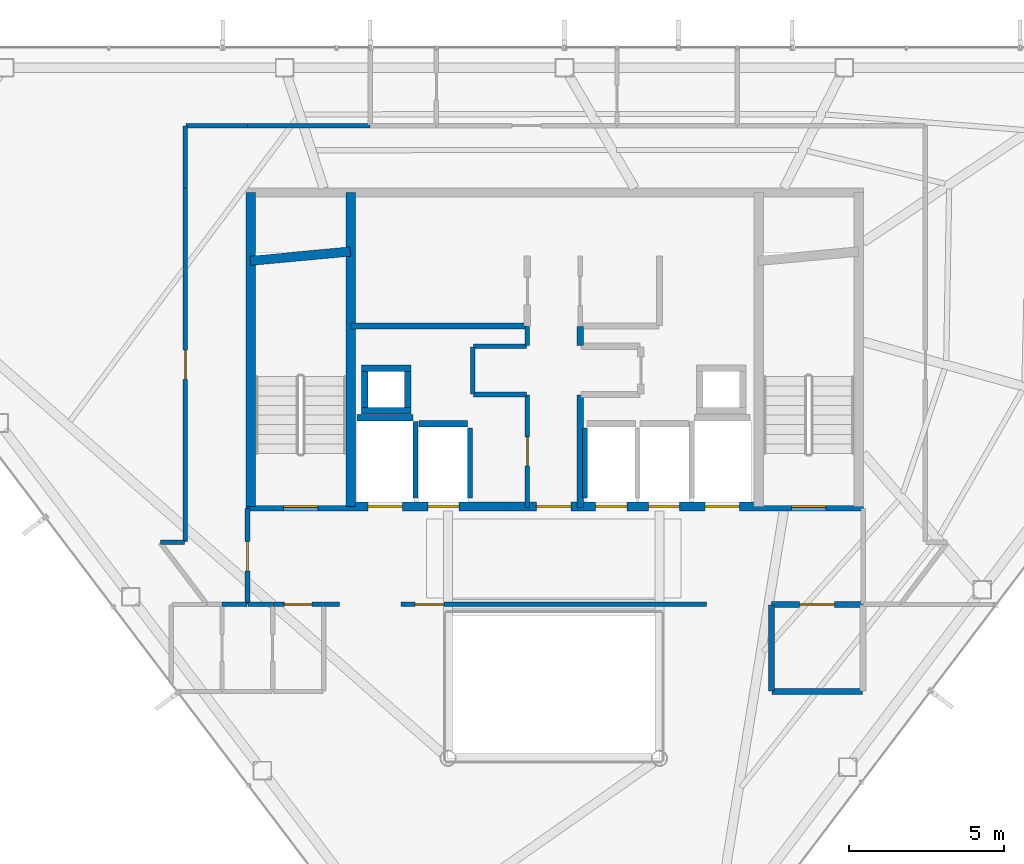
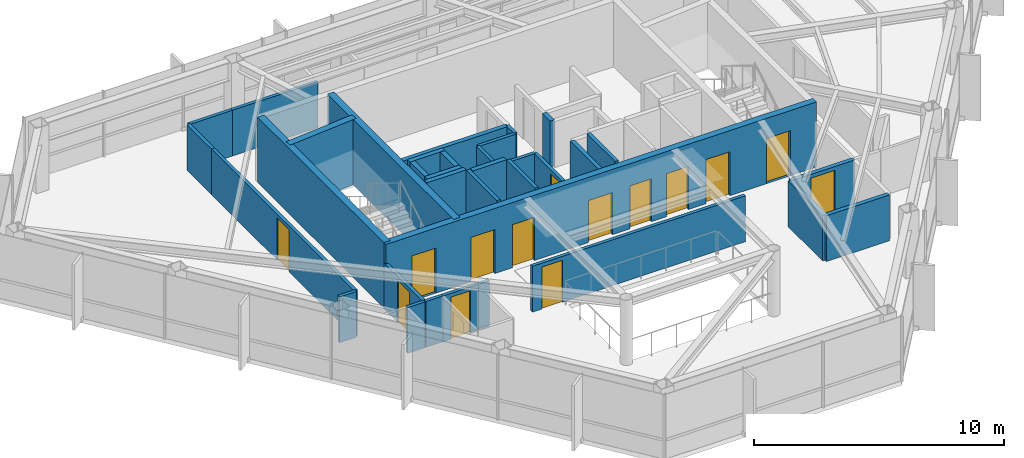
# One storey, part 22 of 25: 35 walls, 14 doors, 14 openings.
"""IFC4 building model written with IfcOpenShell, lengths in metres."""

from ifc_helpers import new_model, si_unit, direction, frame, frame_2d, origin, place, context, subcontext, project, spatial, rectangle, extrude, material, layer, layer_set, type_object, element, fill, save


model = new_model("IFC4")

# Units and contexts
model_context = context("Model", 3, precision=1e-05, world=origin(), true_north=direction((0.0, 1.0)))
body_context = subcontext(model_context, "Body", "Model", "MODEL_VIEW")
ifc_project = project(units=[si_unit("LENGTHUNIT", "METRE"), si_unit("AREAUNIT", "SQUARE_METRE"), si_unit("VOLUMEUNIT", "CUBIC_METRE"), si_unit("PLANEANGLEUNIT", "RADIAN"), si_unit("MASSUNIT", "GRAM", prefix="KILO")], contexts=[model_context])

# Site, building, storey
site_placement = place(None, origin())
site = spatial("IfcSite", under=ifc_project, at=site_placement, CompositionType="ELEMENT")
building_placement = place(site_placement, origin())
building = spatial("IfcBuilding", under=site, at=building_placement, Name="Zarrinselat Tower", CompositionType="ELEMENT")
storey_placement = place(building_placement, frame((0.0, 0.0, 239.360107421875)))
storey = spatial("IfcBuildingStorey", under=building, at=storey_placement, Name="L60", CompositionType="ELEMENT", Elevation=239.360107421875)

# Wall, opening, door
ifc_material_1 = material(Name="Concrete C40/50", Category="concrete")
ifc_layer_1 = layer(ifc_material_1, 0.18994140625)
ifc_layer_set_1 = layer_set([ifc_layer_1], Name="Concrete C40/50")
wall_type_1 = type_object("IfcWallType", Name="WAL-PART-EI120", PredefinedType="PARTITIONING", material=ifc_layer_set_1)
wall_1_placement = place(storey_placement, frame((45.405029296875, 30.14990234375, 0.0), z_axis=(0.0, 0.0, 1.0), x_axis=(1.0, 0.0, 0.0)))
wall_1 = element("IfcWall", 1, at=wall_1_placement, inside=storey, type_object=wall_type_1, Name="L60 Partition Wall 16", PredefinedType="PARTITIONING", context=body_context, shape_type="SweptSolid", body=[
    extrude(rectangle(XDim=2.925048828125, YDim=0.18994140625, at=frame_2d((1.46240234375, 0.0))), origin(), (0.0, 0.0, 1.0), 2.23486328125),
])
opening_1_placement = place(wall_1_placement, frame((0.902587890625, 0.0, 0.0)))
opening_1 = element("IfcOpeningElement", 2, at=opening_1_placement, cuts=wall_1, Name="Opening ID-02", PredefinedType="OPENING", context=body_context, shape_type="SweptSolid", body=[
    extrude(rectangle(XDim=1.1201171875, YDim=2.050048828125, at=frame_2d((0.56005859375, 1.02490234375))), frame((0.0, 0.10498046875, 0.0), z_axis=(0.0, -1.0, 0.0), x_axis=(1.0, 0.0, 0.0)), (0.0, 0.0, 1.0), 0.2099609375),
])
ifc_material_2 = material(Name="Steel S355J2", Category="steel")
door_type_1 = type_object("IfcDoorType", Name="DR-INT-FD60-W", OperationType="NOTDEFINED", PredefinedType="DOOR", material=ifc_material_2)
door_1_placement = place(opening_1_placement, origin())
door_1 = element("IfcDoor", 3, at=door_1_placement, inside=storey, type_object=door_type_1, Name="L60 Interior Door P16", OperationType="SINGLE_SWING_RIGHT", OverallHeight=2.050048828125, OverallWidth=1.1201171875, PredefinedType="DOOR", context=body_context, shape_type="SweptSolid", body=[
    extrude(rectangle(XDim=1.1201171875, YDim=2.050048828125, at=frame_2d((0.56005859375, 1.02490234375))), frame((0.0, 0.02490234375, 0.0), z_axis=(0.0, -1.0, 0.0), x_axis=(1.0, 0.0, 0.0)), (0.0, 0.0, 1.0), 0.050048828125),
])
fill(opening_1, door_1)

# Walls
wall_2_placement = place(storey_placement, frame((45.419921875, 27.35009765625, 0.0), z_axis=(0.0, 0.0, 1.0), x_axis=(1.0, 0.0, 0.0)))
element("IfcWall", 4, at=wall_2_placement, inside=storey, type_object=wall_type_1, Name="L60 Partition Wall 23", PredefinedType="PARTITIONING", context=body_context, shape_type="SweptSolid", body=[
    extrude(rectangle(XDim=2.91015625, YDim=0.18994140625, at=frame_2d((1.455078125, 0.0))), origin(), (0.0, 0.0, 1.0), 2.23486328125),
])
wall_3_placement = place(storey_placement, frame((45.39990234375, 27.3701171875, 0.0), z_axis=(0.0, 0.0, 1.0), x_axis=(0.0, 1.0, 0.0)))
element("IfcWall", 5, at=wall_3_placement, inside=storey, type_object=wall_type_1, Name="L60 Partition Wall 24", PredefinedType="PARTITIONING", context=body_context, shape_type="SweptSolid", body=[
    extrude(rectangle(XDim=2.759765625, YDim=0.18994140625, at=frame_2d((1.3798828125, 0.0))), origin(), (0.0, 0.0, 1.0), 2.23486328125),
])

# Wall, opening, door
ifc_material_3 = material(Name="Fire-Rated Gypsum Board Partition", Category="gypsum")
ifc_layer_2 = layer(ifc_material_3, 0.14990234375)
ifc_layer_set_2 = layer_set([ifc_layer_2], Name="Fire-Rated Gypsum Board Partition")
wall_type_2 = type_object("IfcWallType", Name="WAL-PART-EI60", PredefinedType="PARTITIONING", material=ifc_layer_set_2)
wall_4_placement = place(storey_placement, frame((37.550048828125, 33.264892578125, 0.0), z_axis=(0.0, 0.0, 1.0), x_axis=(0.0, 1.0, 0.0)))
wall_4 = element("IfcWall", 6, at=wall_4_placement, inside=storey, type_object=wall_type_2, Name="L60 Partition Wall 1", PredefinedType="PARTITIONING", context=body_context, shape_type="SweptSolid", body=[
    extrude(rectangle(XDim=3.614990234375, YDim=0.14990234375, at=frame_2d((1.8076171875, 0.0))), origin(), (0.0, 0.0, 1.0), 2.23486328125),
])
opening_2_placement = place(wall_4_placement, frame((1.33740234375, 0.0, 0.0)))
opening_2 = element("IfcOpeningElement", 7, at=opening_2_placement, cuts=wall_4, Name="Opening ID-04", PredefinedType="OPENING", context=body_context, shape_type="SweptSolid", body=[
    extrude(rectangle(XDim=0.93994140625, YDim=2.050048828125, at=frame_2d((0.469970703125, 1.02490234375))), frame((0.0, 0.0849609375, 0.0), z_axis=(0.0, -1.0, 0.0), x_axis=(1.0, 0.0, 0.0)), (0.0, 0.0, 1.0), 0.169921875),
])
ifc_material_4 = material(Name="Fire-Rated Gypsum Board Partition")
door_type_2 = type_object("IfcDoorType", Name="DR-INT-FD30-ENT", OperationType="NOTDEFINED", PredefinedType="DOOR", material=ifc_material_4)
door_2_placement = place(opening_2_placement, origin())
door_2 = element("IfcDoor", 8, at=door_2_placement, inside=storey, type_object=door_type_2, Name="L60 Interior Door P1", OperationType="SINGLE_SWING_RIGHT", OverallHeight=2.050048828125, OverallWidth=0.93994140625, PredefinedType="DOOR", context=body_context, shape_type="SweptSolid", body=[
    extrude(rectangle(XDim=0.93994140625, YDim=2.050048828125, at=frame_2d((0.469970703125, 1.02490234375))), frame((0.0, 0.02490234375, 0.0), z_axis=(0.0, -1.0, 0.0), x_axis=(1.0, 0.0, 0.0)), (0.0, 0.0, 1.0), 0.050048828125),
])
fill(opening_2, door_2)

# Walls
wall_5_placement = place(storey_placement, frame((35.820068359375, 36.89990234375, 0.0), z_axis=(0.0, 0.0, 1.0), x_axis=(1.0, 0.0, 0.0)))
element("IfcWall", 9, at=wall_5_placement, inside=storey, type_object=wall_type_2, Name="L60 Partition Wall 2", PredefinedType="PARTITIONING", context=body_context, shape_type="SweptSolid", body=[
    extrude(rectangle(XDim=1.7099609375, YDim=0.14990234375, at=frame_2d((0.85498046875, 0.0))), origin(), (0.0, 0.0, 1.0), 2.23486328125),
])
wall_6_placement = place(storey_placement, frame((35.800048828125, 36.919921875, 0.0), z_axis=(0.0, 0.0, 1.0), x_axis=(0.0, 1.0, 0.0)))
element("IfcWall", 10, at=wall_6_placement, inside=storey, type_object=wall_type_2, Name="L60 Partition Wall 3", PredefinedType="PARTITIONING", context=body_context, shape_type="SweptSolid", body=[
    extrude(rectangle(XDim=1.510009765625, YDim=0.14990234375, at=frame_2d((0.7548828125, 0.0))), origin(), (0.0, 0.0, 1.0), 2.23486328125),
])
wall_7_placement = place(storey_placement, frame((35.820068359375, 38.449951171875, 0.0), z_axis=(0.0, 0.0, 1.0), x_axis=(1.0, 0.0, 0.0)))
element("IfcWall", 11, at=wall_7_placement, inside=storey, type_object=wall_type_2, Name="L60 Partition Wall 4", PredefinedType="PARTITIONING", context=body_context, shape_type="SweptSolid", body=[
    extrude(rectangle(XDim=1.7099609375, YDim=0.14990234375, at=frame_2d((0.85498046875, 0.0))), origin(), (0.0, 0.0, 1.0), 2.23486328125),
])
wall_8_placement = place(storey_placement, frame((37.550048828125, 38.469970703125, 0.0), z_axis=(0.0, 0.0, 1.0), x_axis=(0.0, 1.0, 0.0)))
element("IfcWall", 12, at=wall_8_placement, inside=storey, type_object=wall_type_2, Name="L60 Partition Wall 5", PredefinedType="PARTITIONING", context=body_context, shape_type="SweptSolid", body=[
    extrude(rectangle(XDim=0.625, YDim=0.14990234375, at=frame_2d((0.3125, 0.0))), origin(), (0.0, 0.0, 1.0), 2.23486328125),
])

# Wall, opening, door
wall_9_placement = place(storey_placement, frame((28.550048828125, 30.169921875, 0.0), z_axis=(0.0, 0.0, 1.0), x_axis=(0.0, 1.0, 0.0)))
wall_9 = element("IfcWall", 13, at=wall_9_placement, inside=storey, type_object=wall_type_2, Name="L60 Partition Wall 17", PredefinedType="PARTITIONING", context=body_context, shape_type="SweptSolid", body=[
    extrude(rectangle(XDim=3.06005859375, YDim=0.14990234375, at=frame_2d((1.530029296875, 0.0))), origin(), (0.0, 0.0, 1.0), 2.23486328125),
])
opening_3_placement = place(wall_9_placement, frame((1.06005859375, 0.0, 0.0)))
opening_3 = element("IfcOpeningElement", 14, at=opening_3_placement, cuts=wall_9, Name="Opening ID-04", PredefinedType="OPENING", context=body_context, shape_type="SweptSolid", body=[
    extrude(rectangle(XDim=0.93994140625, YDim=2.050048828125, at=frame_2d((0.469970703125, 1.02490234375))), frame((0.0, 0.0849609375, 0.0), z_axis=(0.0, -1.0, 0.0), x_axis=(1.0, 0.0, 0.0)), (0.0, 0.0, 1.0), 0.169921875),
])
door_3_placement = place(opening_3_placement, origin())
door_3 = element("IfcDoor", 15, at=door_3_placement, inside=storey, type_object=door_type_2, Name="L60 Interior Door P17", OperationType="SINGLE_SWING_LEFT", OverallHeight=2.050048828125, OverallWidth=0.93994140625, PredefinedType="DOOR", context=body_context, shape_type="SweptSolid", body=[
    extrude(rectangle(XDim=0.93994140625, YDim=2.050048828125, at=frame_2d((0.469970703125, 1.02490234375))), frame((0.0, 0.02490234375, 0.0), z_axis=(0.0, -1.0, 0.0), x_axis=(1.0, 0.0, 0.0)), (0.0, 0.0, 1.0), 0.050048828125),
])
fill(opening_3, door_3)

wall_10_placement = place(storey_placement, frame((29.364990234375, 30.14990234375, 0.0), z_axis=(0.0, 0.0, 1.0), x_axis=(1.0, 0.0, 0.0)))
wall_10 = element("IfcWall", 16, at=wall_10_placement, inside=storey, type_object=wall_type_2, Name="L60 Partition Wall 19", PredefinedType="PARTITIONING", context=body_context, shape_type="SweptSolid", body=[
    extrude(rectangle(XDim=1.630126953125, YDim=0.14990234375, at=frame_2d((0.81494140625, 0.0))), origin(), (0.0, 0.0, 1.0), 2.23486328125),
])
opening_4_placement = place(wall_10_placement, frame((0.375, 0.0, 0.0)))
opening_4 = element("IfcOpeningElement", 17, at=opening_4_placement, cuts=wall_10, Name="Opening ID-03", PredefinedType="OPENING", context=body_context, shape_type="SweptSolid", body=[
    extrude(rectangle(XDim=0.8798828125, YDim=2.050048828125, at=frame_2d((0.43994140625, 1.02490234375))), frame((0.0, 0.0849609375, 0.0), z_axis=(0.0, -1.0, 0.0), x_axis=(1.0, 0.0, 0.0)), (0.0, 0.0, 1.0), 0.169921875),
])
ifc_material_5 = material(Name="Steel S355J2", Category="steel")
door_type_3 = type_object("IfcDoorType", Name="DR-INT-FD60-S", OperationType="NOTDEFINED", PredefinedType="DOOR", material=ifc_material_5)
door_4_placement = place(opening_4_placement, origin())
door_4 = element("IfcDoor", 18, at=door_4_placement, inside=storey, type_object=door_type_3, Name="L60 Interior Door P19", OperationType="SINGLE_SWING_RIGHT", OverallHeight=2.050048828125, OverallWidth=0.8798828125, PredefinedType="DOOR", context=body_context, shape_type="SweptSolid", body=[
    extrude(rectangle(XDim=0.8798828125, YDim=2.050048828125, at=frame_2d((0.43994140625, 1.02490234375))), frame((0.0, 0.02490234375, 0.0), z_axis=(0.0, -1.0, 0.0), x_axis=(1.0, 0.0, 0.0)), (0.0, 0.0, 1.0), 0.050048828125),
])
fill(opening_4, door_4)

# Wall
wall_11_placement = place(storey_placement, frame((28.570068359375, 30.14990234375, 0.0), z_axis=(0.0, 0.0, 1.0), x_axis=(1.0, 0.0, 0.0)))
element("IfcWall", 19, at=wall_11_placement, inside=storey, type_object=wall_type_2, Name="L60 Partition Wall 20", PredefinedType="PARTITIONING", context=body_context, shape_type="SweptSolid", body=[
    extrude(rectangle(XDim=0.784912109375, YDim=0.14990234375, at=frame_2d((0.392578125, 0.0))), origin(), (0.0, 0.0, 1.0), 2.23486328125),
])

# Wall, opening, door
wall_12_placement = place(storey_placement, frame((33.485107421875, 30.14990234375, 0.0), z_axis=(0.0, 0.0, 1.0), x_axis=(1.0, 0.0, 0.0)))
wall_12 = element("IfcWall", 20, at=wall_12_placement, inside=storey, type_object=wall_type_2, Name="L60 Partition Wall 21", PredefinedType="PARTITIONING", context=body_context, shape_type="SweptSolid", body=[
    extrude(rectangle(XDim=9.829833984375, YDim=0.14990234375, at=frame_2d((4.9150390625, 0.0))), origin(), (0.0, 0.0, 1.0), 2.23486328125),
])
opening_5_placement = place(wall_12_placement, frame((0.445068359375, 0.0, 0.0)))
opening_5 = element("IfcOpeningElement", 21, at=opening_5_placement, cuts=wall_12, Name="Opening ID-04", PredefinedType="OPENING", context=body_context, shape_type="SweptSolid", body=[
    extrude(rectangle(XDim=0.93994140625, YDim=2.050048828125, at=frame_2d((0.469970703125, 1.02490234375))), frame((0.0, 0.0849609375, 0.0), z_axis=(0.0, -1.0, 0.0), x_axis=(1.0, 0.0, 0.0)), (0.0, 0.0, 1.0), 0.169921875),
])
door_5_placement = place(opening_5_placement, origin())
door_5 = element("IfcDoor", 22, at=door_5_placement, inside=storey, type_object=door_type_2, Name="L60 Interior Door P21", OperationType="SINGLE_SWING_LEFT", OverallHeight=2.050048828125, OverallWidth=0.93994140625, PredefinedType="DOOR", context=body_context, shape_type="SweptSolid", body=[
    extrude(rectangle(XDim=0.93994140625, YDim=2.050048828125, at=frame_2d((0.469970703125, 1.02490234375))), frame((0.0, 0.02490234375, 0.0), z_axis=(0.0, -1.0, 0.0), x_axis=(1.0, 0.0, 0.0)), (0.0, 0.0, 1.0), 0.050048828125),
])
fill(opening_5, door_5)

# Walls
wall_13_placement = place(storey_placement, frame((31.0048828125, 30.14990234375, 0.0), z_axis=(0.0, 0.0, 1.0), x_axis=(1.0, 0.0, 0.0)))
element("IfcWall", 23, at=wall_13_placement, inside=storey, type_object=wall_type_2, Name="L60 Partition Wall 22", PredefinedType="PARTITIONING", context=body_context, shape_type="SweptSolid", body=[
    extrude(rectangle(XDim=0.510009765625, YDim=0.14990234375, at=frame_2d((0.2548828125, 0.0))), origin(), (0.0, 0.0, 1.0), 2.23486328125),
])
wall_14_placement = place(storey_placement, frame((27.735107421875, 30.14990234375, 0.0), z_axis=(0.0, 0.0, 1.0), x_axis=(1.0, 0.0, 0.0)))
element("IfcWall", 24, at=wall_14_placement, inside=storey, type_object=wall_type_2, Name="L60 Partition Wall 27", PredefinedType="PARTITIONING", context=body_context, shape_type="SweptSolid", body=[
    extrude(rectangle(XDim=0.794921875, YDim=0.14990234375, at=frame_2d((0.3974609375, 0.0))), origin(), (0.0, 0.0, 1.0), 2.23486328125),
])
wall_15_placement = place(storey_placement, frame((25.754638671875, 32.14990234375, 0.0), z_axis=(0.0, 0.0, 1.0), x_axis=(1.0, 0.0, 0.0)))
element("IfcWall", 25, at=wall_15_placement, inside=storey, type_object=wall_type_2, Name="L60 Partition Wall 30", PredefinedType="PARTITIONING", context=body_context, shape_type="SweptSolid", body=[
    extrude(rectangle(XDim=0.775390625, YDim=0.14990234375, at=frame_2d((0.3876953125, 0.0))), origin(), (0.0, 0.0, 1.0), 2.23486328125),
])

# Wall, opening, door
wall_16_placement = place(storey_placement, frame((26.550048828125, 32.169921875, 0.0), z_axis=(0.0, 0.0, 1.0), x_axis=(0.0, 1.0, 0.0)))
wall_16 = element("IfcWall", 26, at=wall_16_placement, inside=storey, type_object=wall_type_2, Name="L60 Partition Wall 31", PredefinedType="PARTITIONING", context=body_context, shape_type="SweptSolid", body=[
    extrude(rectangle(XDim=11.380126953125, YDim=0.14990234375, at=frame_2d((5.68994140625, 0.0))), origin(), (0.0, 0.0, 1.0), 2.23486328125),
])
opening_6_placement = place(wall_16_placement, frame((5.219970703125, 0.0, 0.0)))
opening_6 = element("IfcOpeningElement", 27, at=opening_6_placement, cuts=wall_16, Name="Opening ID-04", PredefinedType="OPENING", context=body_context, shape_type="SweptSolid", body=[
    extrude(rectangle(XDim=0.93994140625, YDim=2.050048828125, at=frame_2d((0.469970703125, 1.02490234375))), frame((0.0, 0.0849609375, 0.0), z_axis=(0.0, -1.0, 0.0), x_axis=(1.0, 0.0, 0.0)), (0.0, 0.0, 1.0), 0.169921875),
])
door_6_placement = place(opening_6_placement, origin())
door_6 = element("IfcDoor", 28, at=door_6_placement, inside=storey, type_object=door_type_2, Name="L60 Interior Door P31", OperationType="SINGLE_SWING_RIGHT", OverallHeight=2.050048828125, OverallWidth=0.93994140625, PredefinedType="DOOR", context=body_context, shape_type="SweptSolid", body=[
    extrude(rectangle(XDim=0.93994140625, YDim=2.050048828125, at=frame_2d((0.469970703125, 1.02490234375))), frame((0.0, 0.02490234375, 0.0), z_axis=(0.0, -1.0, 0.0), x_axis=(1.0, 0.0, 0.0)), (0.0, 0.0, 1.0), 0.050048828125),
])
fill(opening_6, door_6)

# Walls
for number, where, z_axis, x_axis, name in (
    (29, (26.550048828125, 43.550048828125, 0.0), (0.0, 0.0, 1.0), (0.0, 1.0, 0.0), "L60 Partition Wall 32"),
    (30, (26.570068359375, 45.550048828125, 0.0), (0.0, 0.0, 1.0), (1.0, 0.0, 0.0), "L60 Partition Wall 33"),
):
    element("IfcWall", number, at=place(storey_placement, frame(where, z_axis=z_axis, x_axis=x_axis)), inside=storey, type_object=wall_type_2, Name=name, PredefinedType="PARTITIONING", context=body_context, shape_type="SweptSolid", body=[
        extrude(rectangle(XDim=1.97998046875, YDim=0.14990234375, at=frame_2d((0.989990234375, 0.0))), origin(), (0.0, 0.0, 1.0), 2.23486328125),
    ])
wall_17_placement = place(storey_placement, frame((28.550048828125, 45.550048828125, 0.0), z_axis=(0.0, 0.0, 1.0), x_axis=(1.0, 0.0, 0.0)))
element("IfcWall", 31, at=wall_17_placement, inside=storey, type_object=wall_type_2, Name="L60 Partition Wall 34", PredefinedType="PARTITIONING", context=body_context, shape_type="SweptSolid", body=[
    extrude(rectangle(XDim=3.945068359375, YDim=0.14990234375, at=frame_2d((1.97265625, 0.0))), origin(), (0.0, 0.0, 1.0), 2.23486328125),
])
ifc_material_6 = material(Name="Concrete C40/50", Category="concrete")
ifc_layer_3 = layer(ifc_material_6, 0.199951171875)
ifc_layer_set_3 = layer_set([ifc_layer_3], Name="Concrete C40/50")
wall_type_3 = type_object("IfcWallType", Name="WAL-PART-PLANT", PredefinedType="PARTITIONING", material=ifc_layer_set_3)
wall_18_placement = place(storey_placement, frame((39.25, 38.469970703125, 0.0), z_axis=(0.0, 0.0, 1.0), x_axis=(0.0, 1.0, 0.0)))
element("IfcWall", 32, at=wall_18_placement, inside=storey, type_object=wall_type_3, Name="L60 Partition Wall 7", PredefinedType="PARTITIONING", context=body_context, shape_type="SweptSolid", body=[
    extrude(rectangle(XDim=0.625, YDim=0.199951171875, at=frame_2d((0.3125, 0.0))), origin(), (0.0, 0.0, 1.0), 2.23486328125),
])
wall_19_placement = place(storey_placement, frame((39.25, 33.264892578125, 0.0), z_axis=(0.0, 0.0, 1.0), x_axis=(0.0, 1.0, 0.0)))
element("IfcWall", 33, at=wall_19_placement, inside=storey, type_object=wall_type_3, Name="L60 Partition Wall 11", PredefinedType="PARTITIONING", context=body_context, shape_type="SweptSolid", body=[
    extrude(rectangle(XDim=3.614990234375, YDim=0.199951171875, at=frame_2d((1.8076171875, 0.0))), origin(), (0.0, 0.0, 1.0), 2.23486328125),
])
wall_20_placement = place(storey_placement, frame((31.885009765625, 39.10009765625, 0.0), z_axis=(0.0, 0.0, 1.0), x_axis=(1.0, 0.0, 0.0)))
element("IfcWall", 34, at=wall_20_placement, inside=storey, type_object=wall_type_3, Name="L60 Partition Wall 13", PredefinedType="PARTITIONING", context=body_context, shape_type="SweptSolid", body=[
    extrude(rectangle(XDim=5.64501953125, YDim=0.199951171875, at=frame_2d((2.822509765625, 0.0))), origin(), (0.0, 0.0, 1.0), 2.23486328125),
])
ifc_material_7 = material(Name="Concrete C40/50", Category="concrete")
ifc_layer_4 = layer(ifc_material_7, 0.2099609375)
ifc_layer_set_4 = layer_set([ifc_layer_4], Name="Concrete C40/50")
wall_type_4 = type_object("IfcWallType", Name="WAL-SHAFT-210", PredefinedType="SOLIDWALL", material=ifc_layer_set_4)
wall_21_placement = place(storey_placement, frame((32.080078125, 36.155029296875, 0.0), z_axis=(0.0, 0.0, 1.0), x_axis=(1.0, 0.0, 0.0)))
element("IfcWall", 35, at=wall_21_placement, inside=storey, type_object=wall_type_4, Name="L60 Lift FFL1 North Shaft Wall", PredefinedType="SOLIDWALL", context=body_context, shape_type="SweptSolid", body=[
    extrude(rectangle(XDim=1.7998046875, YDim=0.2099609375, at=frame_2d((0.89990234375, 0.0))), origin(), (0.0, 0.0, 1.0), 3.179931640625),
])
wall_22_placement = place(storey_placement, frame((33.949951171875, 33.580078125, 0.0), z_axis=(0.0, 0.0, 1.0), x_axis=(0.0, 1.0, 0.0)))
element("IfcWall", 36, at=wall_22_placement, inside=storey, type_object=wall_type_4, Name="L60 Lift FFL1 E Shaft Wall", PredefinedType="SOLIDWALL", context=body_context, shape_type="SweptSolid", body=[
    extrude(rectangle(XDim=2.449951171875, YDim=0.159912109375, at=frame_2d((1.22509765625, 0.0))), origin(), (0.0, 0.0, 1.0), 3.179931640625),
])
wall_23_placement = place(storey_placement, frame((39.39990234375, 33.580078125, 0.0), z_axis=(0.0, 0.0, 1.0), x_axis=(0.0, 1.0, 0.0)))
element("IfcWall", 37, at=wall_23_placement, inside=storey, type_object=wall_type_4, Name="L60 Lift PL8 W Shaft Wall", PredefinedType="SOLIDWALL", context=body_context, shape_type="SweptSolid", body=[
    extrude(rectangle(XDim=2.25, YDim=0.159912109375, at=frame_2d((1.125, 0.0))), origin(), (0.0, 0.0, 1.0), 3.179931640625),
])
wall_24_placement = place(storey_placement, frame((34.070068359375, 35.955078125, 0.0), z_axis=(0.0, 0.0, 1.0), x_axis=(1.0, 0.0, 0.0)))
element("IfcWall", 38, at=wall_24_placement, inside=storey, type_object=wall_type_4, Name="L60 Lift PL10 North Shaft Wall", PredefinedType="SOLIDWALL", context=body_context, shape_type="SweptSolid", body=[
    extrude(rectangle(XDim=1.559814453125, YDim=0.2099609375, at=frame_2d((0.77978515625, 0.0))), origin(), (0.0, 0.0, 1.0), 3.179931640625),
])
wall_25_placement = place(storey_placement, frame((35.699951171875, 33.580078125, 0.0), z_axis=(0.0, 0.0, 1.0), x_axis=(0.0, 1.0, 0.0)))
element("IfcWall", 39, at=wall_25_placement, inside=storey, type_object=wall_type_4, Name="L60 Lift PL10 E Shaft Wall", PredefinedType="SOLIDWALL", context=body_context, shape_type="SweptSolid", body=[
    extrude(rectangle(XDim=2.25, YDim=0.159912109375, at=frame_2d((1.125, 0.0))), origin(), (0.0, 0.0, 1.0), 3.179931640625),
])
for number, where, z_axis, x_axis, name in (
    (40, (32.2099609375, 36.375, 0.0), (0.0, 0.0, 1.0), (1.0, 0.0, 0.0), "L60 Core Riser RSR-W S Shaft Wall"),
    (41, (32.2099609375, 37.7451171875, 0.0), (0.0, 0.0, 1.0), (1.0, 0.0, 0.0), "L60 Core Riser RSR-W N Shaft Wall"),
):
    element("IfcWall", number, at=place(storey_placement, frame(where, z_axis=z_axis, x_axis=x_axis)), inside=storey, type_object=wall_type_4, Name=name, PredefinedType="SOLIDWALL", context=body_context, shape_type="SweptSolid", body=[
        extrude(rectangle(XDim=1.60009765625, YDim=0.2099609375, at=frame_2d((0.800048828125, 0.0))), origin(), (0.0, 0.0, 1.0), 3.179931640625),
    ])
for number, where, z_axis, x_axis, name in (
    (42, (32.31494140625, 36.485107421875, 0.0), (0.0, 0.0, 1.0), (0.0, 1.0, 0.0), "L60 Core Riser RSR-W W Shaft Wall"),
    (43, (33.705078125, 36.485107421875, 0.0), (0.0, 0.0, 1.0), (0.0, 1.0, 0.0), "L60 Core Riser RSR-W E Shaft Wall"),
):
    element("IfcWall", number, at=place(storey_placement, frame(where, z_axis=z_axis, x_axis=x_axis)), inside=storey, type_object=wall_type_4, Name=name, PredefinedType="SOLIDWALL", context=body_context, shape_type="SweptSolid", body=[
        extrude(rectangle(XDim=1.14990234375, YDim=0.2099609375, at=frame_2d((0.574951171875, 0.0))), origin(), (0.0, 0.0, 1.0), 3.179931640625),
    ])

# Wall, openings, doors
ifc_material_8 = material(Name="Concrete C40/50", Category="concrete")
ifc_layer_5 = layer(ifc_material_8, 0.300048828125)
ifc_layer_set_5 = layer_set([ifc_layer_5], Name="Concrete C40/50")
wall_type_5 = type_object("IfcWallType", Name="WAL-SHEAR-300", PredefinedType="SHEAR", material=ifc_layer_set_5)
wall_26_placement = place(storey_placement, frame((28.5, 33.300048828125, 0.0), z_axis=(0.0, 0.0, 1.0), x_axis=(1.0, 0.0, 0.0)))
wall_26 = element("IfcWall", 44, at=wall_26_placement, inside=storey, type_object=wall_type_5, Name="L60 South Core Shear Wall", PredefinedType="SHEAR", context=body_context, shape_type="SweptSolid", body=[
    extrude(rectangle(XDim=19.860107421875, YDim=0.300048828125, at=frame_2d((9.93017578125, 0.0))), origin(), (0.0, 0.0, 1.0), 3.179931640625),
])
opening_7_placement = place(wall_26_placement, frame((3.929931640625, 0.0, 0.0)))
opening_7 = element("IfcOpeningElement", 45, at=opening_7_placement, cuts=wall_26, Name="Opening LD-FFL1", PredefinedType="OPENING", context=body_context, shape_type="SweptSolid", body=[
    extrude(rectangle(XDim=1.10009765625, YDim=2.14990234375, at=frame_2d((0.550048828125, 1.074951171875))), frame((0.0, 0.159912109375, 0.0), z_axis=(0.0, -1.0, 0.0), x_axis=(1.0, 0.0, 0.0)), (0.0, 0.0, 1.0), 0.320068359375),
])
opening_8_placement = place(wall_26_placement, frame((14.77001953125, 0.0, 0.0)))
opening_8 = element("IfcOpeningElement", 46, at=opening_8_placement, cuts=wall_26, Name="Opening LD-FFL2", PredefinedType="OPENING", context=body_context, shape_type="SweptSolid", body=[
    extrude(rectangle(XDim=1.10009765625, YDim=2.14990234375, at=frame_2d((0.550048828125, 1.074951171875))), frame((0.0, 0.159912109375, 0.0), z_axis=(0.0, -1.0, 0.0), x_axis=(1.0, 0.0, 0.0)), (0.0, 0.0, 1.0), 0.320068359375),
])
opening_9_placement = place(wall_26_placement, frame((11.25, 0.0, 0.0)))
opening_9 = element("IfcOpeningElement", 47, at=opening_9_placement, cuts=wall_26, Name="Opening LD-PL8", PredefinedType="OPENING", context=body_context, shape_type="SweptSolid", body=[
    extrude(rectangle(XDim=1.0, YDim=2.10009765625, at=frame_2d((0.5, 1.050048828125))), frame((0.0, 0.159912109375, 0.0), z_axis=(0.0, -1.0, 0.0), x_axis=(1.0, 0.0, 0.0)), (0.0, 0.0, 1.0), 0.320068359375),
])
opening_10_placement = place(wall_26_placement, frame((12.949951171875, 0.0, 0.0)))
opening_10 = element("IfcOpeningElement", 48, at=opening_10_placement, cuts=wall_26, Name="Opening LD-PL9", PredefinedType="OPENING", context=body_context, shape_type="SweptSolid", body=[
    extrude(rectangle(XDim=1.0, YDim=2.10009765625, at=frame_2d((0.5, 1.050048828125))), frame((0.0, 0.159912109375, 0.0), z_axis=(0.0, -1.0, 0.0), x_axis=(1.0, 0.0, 0.0)), (0.0, 0.0, 1.0), 0.320068359375),
])
opening_11_placement = place(wall_26_placement, frame((5.85009765625, 0.0, 0.0)))
opening_11 = element("IfcOpeningElement", 49, at=opening_11_placement, cuts=wall_26, Name="Opening LD-PL10", PredefinedType="OPENING", context=body_context, shape_type="SweptSolid", body=[
    extrude(rectangle(XDim=1.0, YDim=2.10009765625, at=frame_2d((0.5, 1.050048828125))), frame((0.0, 0.159912109375, 0.0), z_axis=(0.0, -1.0, 0.0), x_axis=(1.0, 0.0, 0.0)), (0.0, 0.0, 1.0), 0.320068359375),
])
opening_12_placement = place(wall_26_placement, frame((1.2099609375, 0.0, 0.0)))
opening_12 = element("IfcOpeningElement", 50, at=opening_12_placement, cuts=wall_26, Name="Opening SD-01", PredefinedType="OPENING", context=body_context, shape_type="SweptSolid", body=[
    extrude(rectangle(XDim=1.10009765625, YDim=2.199951171875, at=frame_2d((0.550048828125, 1.10009765625))), frame((0.0, 0.159912109375, 0.0), z_axis=(0.0, -1.0, 0.0), x_axis=(1.0, 0.0, 0.0)), (0.0, 0.0, 1.0), 0.320068359375),
])
opening_13_placement = place(wall_26_placement, frame((9.340087890625, 0.0, 0.0)))
opening_13 = element("IfcOpeningElement", 51, at=opening_13_placement, cuts=wall_26, Name="Opening ID-02", PredefinedType="OPENING", context=body_context, shape_type="SweptSolid", body=[
    extrude(rectangle(XDim=1.1201171875, YDim=2.050048828125, at=frame_2d((0.56005859375, 1.02490234375))), frame((0.0, 0.159912109375, 0.0), z_axis=(0.0, -1.0, 0.0), x_axis=(1.0, 0.0, 0.0)), (0.0, 0.0, 1.0), 0.320068359375),
])
opening_14_placement = place(wall_26_placement, frame((17.550048828125, 0.0, 0.0)))
opening_14 = element("IfcOpeningElement", 52, at=opening_14_placement, cuts=wall_26, Name="Opening SD-01", PredefinedType="OPENING", context=body_context, shape_type="SweptSolid", body=[
    extrude(rectangle(XDim=1.10009765625, YDim=2.199951171875, at=frame_2d((0.550048828125, 1.10009765625))), frame((0.0, 0.159912109375, 0.0), z_axis=(0.0, -1.0, 0.0), x_axis=(1.0, 0.0, 0.0)), (0.0, 0.0, 1.0), 0.320068359375),
])
door_7_placement = place(opening_13_placement, origin())
door_7 = element("IfcDoor", 53, at=door_7_placement, inside=storey, type_object=door_type_1, Name="L60 Core Service Vestibule Fire Door", OperationType="SINGLE_SWING_RIGHT", OverallHeight=2.050048828125, OverallWidth=1.1201171875, PredefinedType="DOOR", context=body_context, shape_type="SweptSolid", body=[
    extrude(rectangle(XDim=1.1201171875, YDim=2.050048828125, at=frame_2d((0.56005859375, 1.02490234375))), frame((0.0, 0.02490234375, 0.0), z_axis=(0.0, -1.0, 0.0), x_axis=(1.0, 0.0, 0.0)), (0.0, 0.0, 1.0), 0.050048828125),
])
fill(opening_13, door_7)
ifc_material_9 = material(Name="Steel S355J2", Category="steel")
door_type_4 = type_object("IfcDoorType", Name="DR-LIFT-FF-1100", OperationType="NOTDEFINED", PredefinedType="DOOR", material=ifc_material_9)
door_8_placement = place(opening_7_placement, origin())
door_8 = element("IfcDoor", 54, at=door_8_placement, inside=storey, type_object=door_type_4, Name="L60 Lift FFL1 Sliding Landing Door", OperationType="SLIDING_TO_LEFT", OverallHeight=2.14990234375, OverallWidth=1.10009765625, PredefinedType="DOOR", context=body_context, shape_type="SweptSolid", body=[
    extrude(rectangle(XDim=1.10009765625, YDim=2.14990234375, at=frame_2d((0.550048828125, 1.074951171875))), frame((0.0, 0.02490234375, 0.0), z_axis=(0.0, -1.0, 0.0), x_axis=(1.0, 0.0, 0.0)), (0.0, 0.0, 1.0), 0.050048828125),
])
fill(opening_7, door_8)
door_9_placement = place(opening_8_placement, origin())
door_9 = element("IfcDoor", 55, at=door_9_placement, inside=storey, type_object=door_type_4, Name="L60 Lift FFL2 Sliding Landing Door", OperationType="SLIDING_TO_RIGHT", OverallHeight=2.14990234375, OverallWidth=1.10009765625, PredefinedType="DOOR", context=body_context, shape_type="SweptSolid", body=[
    extrude(rectangle(XDim=1.10009765625, YDim=2.14990234375, at=frame_2d((0.550048828125, 1.074951171875))), frame((0.0, 0.02490234375, 0.0), z_axis=(0.0, -1.0, 0.0), x_axis=(1.0, 0.0, 0.0)), (0.0, 0.0, 1.0), 0.050048828125),
])
fill(opening_8, door_9)
ifc_material_10 = material(Name="Steel S355J2", Category="steel")
door_type_5 = type_object("IfcDoorType", Name="DR-LIFT-PS-1000", OperationType="NOTDEFINED", PredefinedType="DOOR", material=ifc_material_10)
door_10_placement = place(opening_9_placement, origin())
door_10 = element("IfcDoor", 56, at=door_10_placement, inside=storey, type_object=door_type_5, Name="L60 Lift PL8 Sliding Landing Door", OperationType="SLIDING_TO_RIGHT", OverallHeight=2.10009765625, OverallWidth=1.0, PredefinedType="DOOR", context=body_context, shape_type="SweptSolid", body=[
    extrude(rectangle(XDim=1.0, YDim=2.10009765625, at=frame_2d((0.5, 1.050048828125))), frame((0.0, 0.02490234375, 0.0), z_axis=(0.0, -1.0, 0.0), x_axis=(1.0, 0.0, 0.0)), (0.0, 0.0, 1.0), 0.050048828125),
])
fill(opening_9, door_10)
door_11_placement = place(opening_10_placement, origin())
door_11 = element("IfcDoor", 57, at=door_11_placement, inside=storey, type_object=door_type_5, Name="L60 Lift PL9 Sliding Landing Door", OperationType="SLIDING_TO_LEFT", OverallHeight=2.10009765625, OverallWidth=1.0, PredefinedType="DOOR", context=body_context, shape_type="SweptSolid", body=[
    extrude(rectangle(XDim=1.0, YDim=2.10009765625, at=frame_2d((0.5, 1.050048828125))), frame((0.0, 0.02490234375, 0.0), z_axis=(0.0, -1.0, 0.0), x_axis=(1.0, 0.0, 0.0)), (0.0, 0.0, 1.0), 0.050048828125),
])
fill(opening_10, door_11)
door_12_placement = place(opening_11_placement, origin())
door_12 = element("IfcDoor", 58, at=door_12_placement, inside=storey, type_object=door_type_5, Name="L60 Lift PL10 Sliding Landing Door", OperationType="SLIDING_TO_RIGHT", OverallHeight=2.10009765625, OverallWidth=1.0, PredefinedType="DOOR", context=body_context, shape_type="SweptSolid", body=[
    extrude(rectangle(XDim=1.0, YDim=2.10009765625, at=frame_2d((0.5, 1.050048828125))), frame((0.0, 0.02490234375, 0.0), z_axis=(0.0, -1.0, 0.0), x_axis=(1.0, 0.0, 0.0)), (0.0, 0.0, 1.0), 0.050048828125),
])
fill(opening_11, door_12)
ifc_material_11 = material(Name="Steel S355J2", Category="steel")
door_type_6 = type_object("IfcDoorType", Name="DR-STAIR-1100", OperationType="NOTDEFINED", PredefinedType="DOOR", material=ifc_material_11)
door_13_placement = place(opening_12_placement, origin())
door_13 = element("IfcDoor", 59, at=door_13_placement, inside=storey, type_object=door_type_6, Name="L60 Exit Stair 1 Fire Door", OperationType="SINGLE_SWING_LEFT", OverallHeight=2.199951171875, OverallWidth=1.10009765625, PredefinedType="DOOR", context=body_context, shape_type="SweptSolid", body=[
    extrude(rectangle(XDim=1.10009765625, YDim=2.199951171875, at=frame_2d((0.550048828125, 1.10009765625))), frame((0.0, 0.02490234375, 0.0), z_axis=(0.0, -1.0, 0.0), x_axis=(1.0, 0.0, 0.0)), (0.0, 0.0, 1.0), 0.050048828125),
])
fill(opening_12, door_13)
door_14_placement = place(opening_14_placement, origin())
door_14 = element("IfcDoor", 60, at=door_14_placement, inside=storey, type_object=door_type_6, Name="L60 Exit Stair 2 Fire Door", OperationType="SINGLE_SWING_RIGHT", OverallHeight=2.199951171875, OverallWidth=1.10009765625, PredefinedType="DOOR", context=body_context, shape_type="SweptSolid", body=[
    extrude(rectangle(XDim=1.10009765625, YDim=2.199951171875, at=frame_2d((0.550048828125, 1.10009765625))), frame((0.0, 0.02490234375, 0.0), z_axis=(0.0, -1.0, 0.0), x_axis=(1.0, 0.0, 0.0)), (0.0, 0.0, 1.0), 0.050048828125),
])
fill(opening_14, door_14)

# Walls
for number, where, z_axis, x_axis, name in (
    (61, (28.64990234375, 33.300048828125, 0.0), (0.0, 0.0, 1.0), (0.0, 1.0, 0.0), "L60 Core Shear Wall W"),
    (62, (31.8701171875, 33.300048828125, 0.0), (0.0, 0.0, 1.0), (0.0, 1.0, 0.0), "L60 Core Shear Wall ST1E"),
):
    element("IfcWall", number, at=place(storey_placement, frame(where, z_axis=z_axis, x_axis=x_axis)), inside=storey, type_object=wall_type_5, Name=name, PredefinedType="SHEAR", context=body_context, shape_type="SweptSolid", body=[
        extrude(rectangle(XDim=10.099853515625, YDim=0.300048828125, at=frame_2d((5.0498046875, 0.0))), origin(), (0.0, 0.0, 1.0), 3.179931640625),
    ])
wall_27_placement = place(storey_placement, frame((28.639892578125, 41.199951171875, 0.0), z_axis=(0.0, 0.0, 1.0), x_axis=(0.995687118776, 0.092774789157, 0.0)))
element("IfcWall", 63, at=wall_27_placement, inside=storey, type_object=wall_type_5, Name="L60 Stair 1 North Shaft Wall", PredefinedType="SHEAR", context=body_context, shape_type="SweptSolid", body=[
    extrude(rectangle(XDim=3.234130859375, YDim=0.300048828125, at=frame_2d((1.6171875, 0.0))), origin(), (0.0, 0.0, 1.0), 3.179931640625),
])

save(model, "model.ifc")
